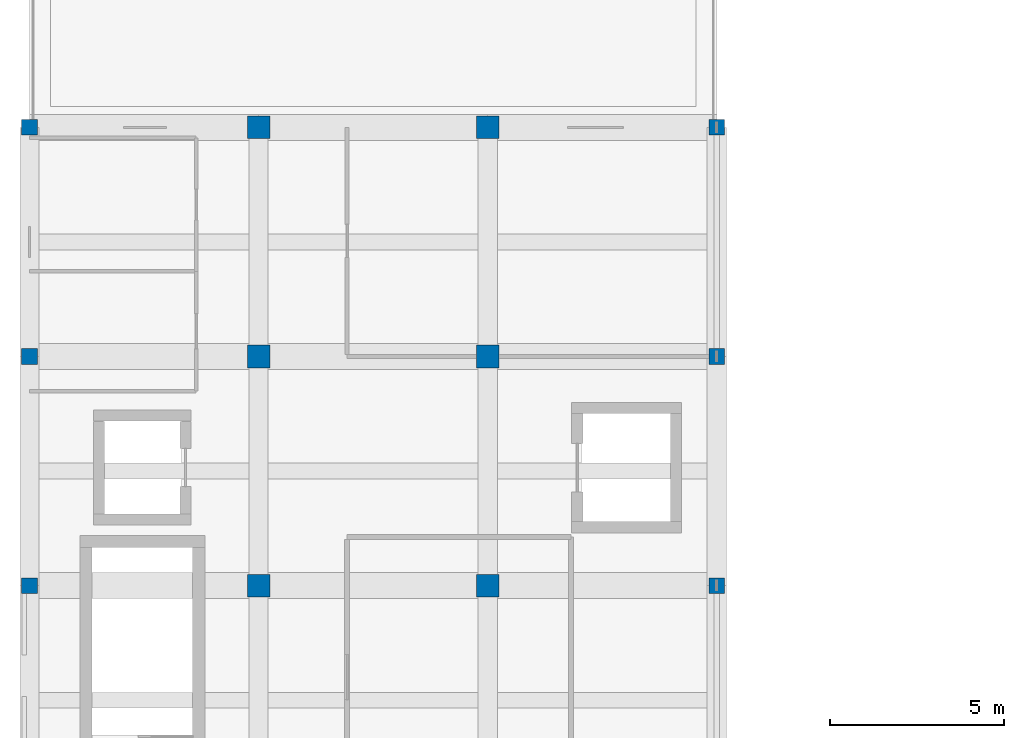
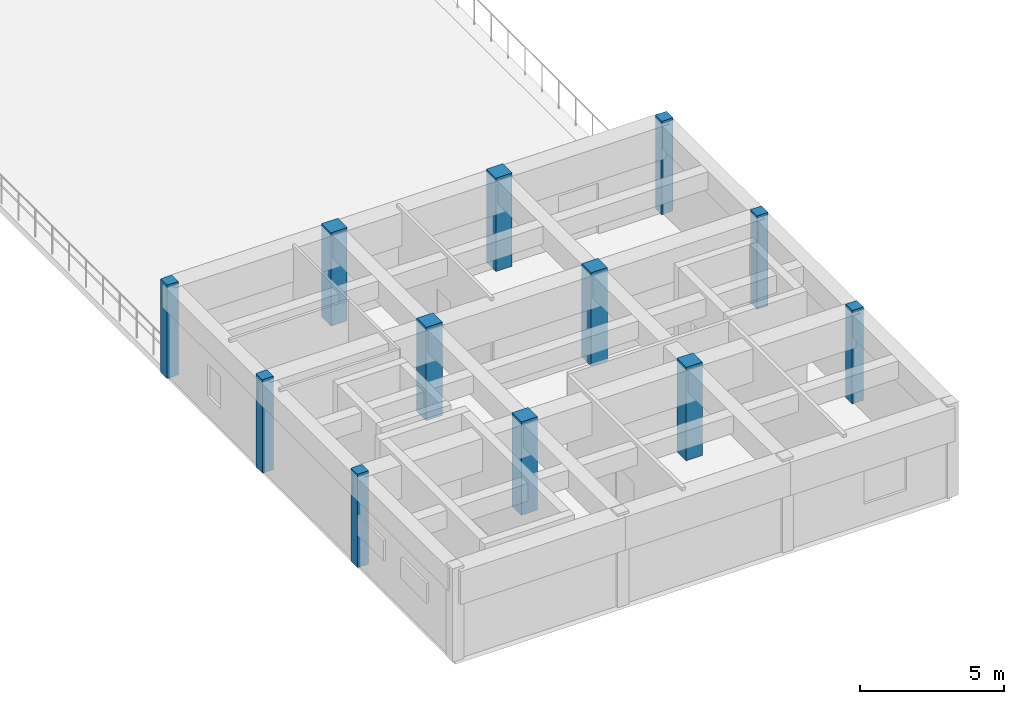
# One storey, part 12 of 106: 12 columns.
"""IFC4 building model written with IfcOpenShell, lengths in metres."""

from ifc_helpers import new_model, si_unit, direction, frame, origin, origin_2d, place, context, subcontext, project, spatial, rectangle, extrude, material, material_profile, profile_set, type_object, element, save


model = new_model("IFC4")

# Units and contexts
model_context = context("Model", 3, precision=1e-05, world=origin(), true_north=direction((0.0, 1.0)))
body_context = subcontext(model_context, "Body", "Model", "MODEL_VIEW")
ifc_project = project(units=[si_unit("LENGTHUNIT", "METRE"), si_unit("AREAUNIT", "SQUARE_METRE"), si_unit("VOLUMEUNIT", "CUBIC_METRE"), si_unit("PLANEANGLEUNIT", "RADIAN"), si_unit("MASSUNIT", "GRAM", prefix="KILO")], contexts=[model_context])

# Site, building, storey
site_placement = place(None, origin())
site = spatial("IfcSite", under=ifc_project, at=site_placement, CompositionType="ELEMENT")
building_placement = place(site_placement, origin())
building = spatial("IfcBuilding", under=site, at=building_placement, Name="Karori Crest Natural Sciences Institute", CompositionType="ELEMENT")
storey_placement = place(building_placement, frame((0.0, 0.0, 25.89990234375)))
storey = spatial("IfcBuildingStorey", under=building, at=storey_placement, Name="L06", CompositionType="ELEMENT", Elevation=25.89990234375)

# Columns
ifc_material = material(Name="Concrete 50 MPa", Category="concrete")
ifc_material_profile_1 = material_profile(ifc_material, rectangle(XDim=0.64990234375, YDim=0.64990234375, at=origin_2d()), Name="RC650x650")
ifc_profile_set_1 = profile_set([ifc_material_profile_1], Name="Concrete 50 MPa")
column_type_1 = type_object("IfcColumnType", Name="CT-19-IL", PredefinedType="COLUMN", material=ifc_profile_set_1)
for number, where, z_axis, x_axis, name in (
    (1, (14.0, 101.60009765625, 0.0), (0.0, 0.0, 1.0), (1.0, 0.0, 0.0), "Column C-0801"),
    (2, (14.0, 108.199951171875, 0.0), (0.0, 0.0, 1.0), (1.0, 0.0, 0.0), "Column C-0809"),
    (3, (14.0, 114.800048828125, 0.0), (0.0, 0.0, 1.0), (1.0, 0.0, 0.0), "Column C-0817"),
    (4, (20.60009765625, 101.60009765625, 0.0), (0.0, 0.0, 1.0), (1.0, 0.0, 0.0), "Column C-0878"),
    (5, (20.60009765625, 108.199951171875, 0.0), (0.0, 0.0, 1.0), (1.0, 0.0, 0.0), "Column C-0886"),
    (6, (20.60009765625, 114.800048828125, 0.0), (0.0, 0.0, 1.0), (1.0, 0.0, 0.0), "Column C-0894"),
):
    element("IfcColumn", number, at=place(storey_placement, frame(where, z_axis=z_axis, x_axis=x_axis)), inside=storey, type_object=column_type_1, Name=name, PredefinedType="COLUMN", context=body_context, shape_type="SweptSolid", body=[
        extrude(rectangle(XDim=0.64990234375, YDim=0.64990234375, at=origin_2d()), origin(), (0.0, 0.0, 1.0), 3.9501953125),
    ])
ifc_material_profile_2 = material_profile(ifc_material, rectangle(XDim=0.449951171875, YDim=0.449951171875, at=origin_2d()), Name="RC450x450")
ifc_profile_set_2 = profile_set([ifc_material_profile_2], Name="Concrete 50 MPa")
column_type_2 = type_object("IfcColumnType", Name="CT-23", PredefinedType="PILASTER", material=ifc_profile_set_2)
for number, where, z_axis, x_axis, name in (
    (7, (7.39990234375, 101.60009765625, 0.0), (0.0, 0.0, 1.0), (1.0, 0.0, 0.0), "Column C-0724"),
    (8, (7.39990234375, 108.199951171875, 0.0), (0.0, 0.0, 1.0), (1.0, 0.0, 0.0), "Column C-0732"),
    (9, (7.39990234375, 114.800048828125, 0.0), (0.0, 0.0, 1.0), (1.0, 0.0, 0.0), "Column C-0740"),
    (10, (27.199951171875, 101.60009765625, 0.0), (0.0, 0.0, 1.0), (1.0, 0.0, 0.0), "Column C-0955"),
    (11, (27.199951171875, 108.199951171875, 0.0), (0.0, 0.0, 1.0), (1.0, 0.0, 0.0), "Column C-0963"),
    (12, (27.199951171875, 114.800048828125, 0.0), (0.0, 0.0, 1.0), (1.0, 0.0, 0.0), "Column C-0971"),
):
    element("IfcColumn", number, at=place(storey_placement, frame(where, z_axis=z_axis, x_axis=x_axis)), inside=storey, type_object=column_type_2, Name=name, PredefinedType="PILASTER", context=body_context, shape_type="SweptSolid", body=[
        extrude(rectangle(XDim=0.449951171875, YDim=0.449951171875, at=origin_2d()), origin(), (0.0, 0.0, 1.0), 3.9501953125),
    ])

save(model, "model.ifc")
